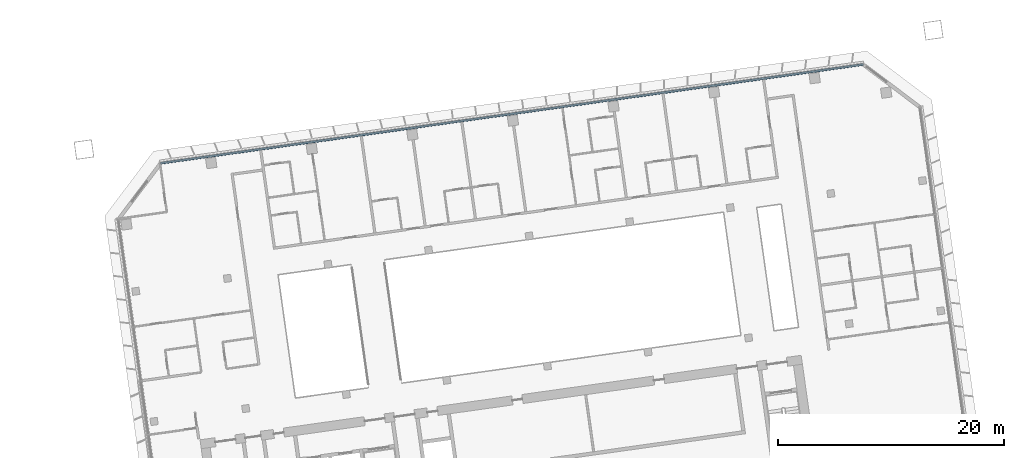
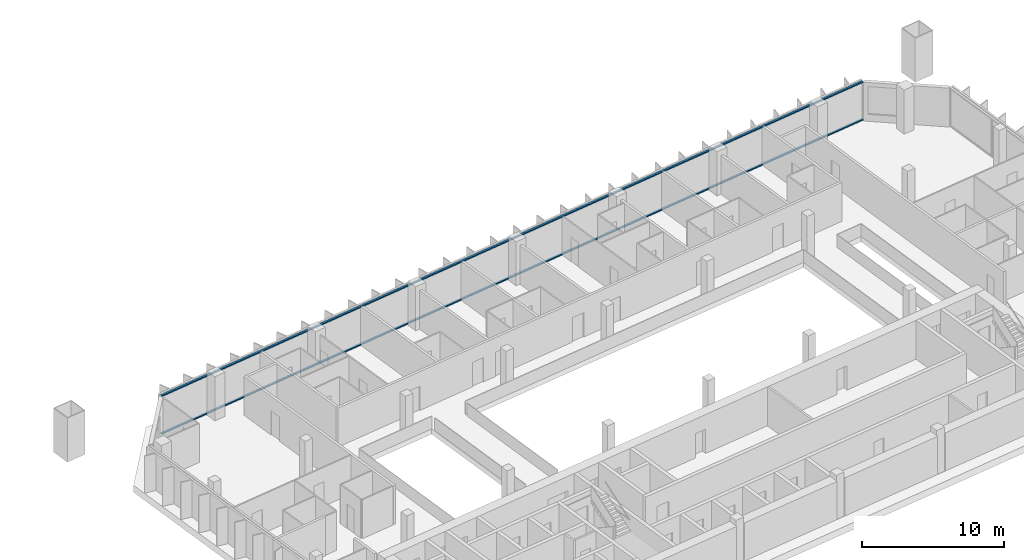
# One storey, part 9 of 24: 2 members, 1 element without a shape of its own.
"""IFC4 building model written with IfcOpenShell, lengths in metres."""

import ifcopenshell
import ifcopenshell.guid

model = None  # the IFC model being written
_history = None  # IfcOwnerHistory: only IFC2X3 demands one
_inside = {}  # id of a spatial element -> (the spatial element, [elements in it])
_under = {}  # id of a project, library or spatial element -> (it, [spatial elements below it])
_declared = {}  # id of a project -> (the project, [libraries it declares])
_typed = {}  # id of a type object -> (the type object, [elements of that type])
_made_of = {}  # id of a material, layer set ... -> (it, [elements and type objects made of it])


def new_model(schema):
    """Start an empty IFC model of exactly this schema.

    Asked for "IFC4X3", IfcOpenShell would pick the latest addendum, in which some entities
    have other attributes; the version numbers below select the first issue.
    IFC2X3 requires an IfcOwnerHistory on every rooted entity: one is made here for all.
    """
    global model, _history
    if schema == "IFC4X3":
        model = ifcopenshell.file(schema_version=(4, 3, 0, 0))
    else:
        model = ifcopenshell.file(schema=schema)
    _inside.clear()
    _under.clear()
    _declared.clear()
    _typed.clear()
    _made_of.clear()
    _history = None
    if model.schema == "IFC2X3":
        org = make("IfcOrganization", Name="unknown")
        user = make(
            "IfcPersonAndOrganization",
            ThePerson=make("IfcPerson", FamilyName="unknown"),
            TheOrganization=org,
        )
        app = make(
            "IfcApplication",
            ApplicationDeveloper=org,
            Version="unknown",
            ApplicationFullName="unknown",
            ApplicationIdentifier="unknown",
        )
        _history = make(
            "IfcOwnerHistory",
            OwningUser=user,
            OwningApplication=app,
            ChangeAction="ADDED",
            CreationDate=0,
        )
    return model


def make(cls, **values):
    """One entity of the class cls with the attributes given. An attribute that is None is left unset."""
    return model.create_entity(
        cls, **{name: value for name, value in values.items() if value is not None}
    )


def rooted(cls, **values):
    """An entity with a GlobalId (a new one), such as an element, a storey or a relation."""
    return make(cls, GlobalId=ifcopenshell.guid.new(), OwnerHistory=_history, **values)


def si_unit(unit_type, name, prefix=None):
    """IfcSIUnit, for example si_unit("LENGTHUNIT", "METRE", prefix="MILLI")."""
    return make("IfcSIUnit", UnitType=unit_type, Prefix=prefix, Name=name)


def assignment(units):
    """IfcUnitAssignment: the units of a project."""
    return None if units is None else make("IfcUnitAssignment", Units=units)


def point(xyz):
    """IfcCartesianPoint."""
    return None if xyz is None else make("IfcCartesianPoint", Coordinates=xyz)


def direction(xyz):
    """IfcDirection."""
    return None if xyz is None else make("IfcDirection", DirectionRatios=xyz)


def frame(location, z_axis=None, x_axis=None):
    """IfcAxis2Placement3D, a coordinate frame: its origin and axes. An axis left out is left unset."""
    return make(
        "IfcAxis2Placement3D",
        Location=point(location),
        Axis=direction(z_axis),
        RefDirection=direction(x_axis),
    )


def frame_2d(location, x_axis=None):
    """IfcAxis2Placement2D, a coordinate frame in the plane: its origin and x axis."""
    return make(
        "IfcAxis2Placement2D", Location=point(location), RefDirection=direction(x_axis)
    )


def origin():
    """The frame at (0, 0, 0) with its axes left unset."""
    return frame((0.0, 0.0, 0.0))


def origin_2d():
    """The frame at (0, 0) in the plane with its x axis left unset."""
    return frame_2d((0.0, 0.0))


def place(relative_to, where):
    """IfcLocalPlacement: puts the frame where relative to a parent placement (None: the world)."""
    return make(
        "IfcLocalPlacement", PlacementRelTo=relative_to, RelativePlacement=where
    )


def context(
    kind, dimensions, precision=None, world=None, true_north=None, identifier=None
):
    """IfcGeometricRepresentationContext, for example the 3D "Model" context."""
    return make(
        "IfcGeometricRepresentationContext",
        ContextIdentifier=identifier,
        ContextType=kind,
        CoordinateSpaceDimension=dimensions,
        Precision=precision,
        WorldCoordinateSystem=world,
        TrueNorth=true_north,
    )


def subcontext(parent, identifier, kind, view, scale=None):
    """IfcGeometricRepresentationSubContext, for example "Body" below "Model"."""
    return make(
        "IfcGeometricRepresentationSubContext",
        ContextIdentifier=identifier,
        ContextType=kind,
        ParentContext=parent,
        TargetScale=scale,
        TargetView=view,
    )


def project(units=None, contexts=None):
    """IfcProject with its units and contexts."""
    return rooted(
        "IfcProject",
        Name="project",
        RepresentationContexts=contexts,
        UnitsInContext=assignment(units),
    )


def spatial(cls, under=None, at=None, **own):
    """A site, building, storey or space (cls), placed at a placement, below another one or the project."""
    s = rooted(cls, ObjectPlacement=at, **own)
    if under is not None:
        _under.setdefault(under.id(), (under, []))[1].append(s)
    return s


def profile(cls, at=None, kind="AREA", **sizes):
    """A parametric profile (cls). Its sizes go by their IFC names, for example OverallWidth=200.0."""
    return make(cls, ProfileType=kind, Position=at, **sizes)


def rectangle(**sizes):
    """IfcRectangleProfileDef."""
    return profile("IfcRectangleProfileDef", **sizes)


def extrude(swept, where, along, depth):
    """IfcExtrudedAreaSolid: the profile swept, set in the frame where, extruded along a direction by depth."""
    return make(
        "IfcExtrudedAreaSolid",
        SweptArea=swept,
        Position=where,
        ExtrudedDirection=direction(along),
        Depth=depth,
    )


def shape(context_of_items, identifier, shape_type, items):
    """IfcShapeRepresentation: the items that make up one representation, for example the "Body"."""
    return make(
        "IfcShapeRepresentation",
        ContextOfItems=context_of_items,
        RepresentationIdentifier=identifier,
        RepresentationType=shape_type,
        Items=items,
    )


def material(Name=None, Category=None):
    """IfcMaterial."""
    return make("IfcMaterial", Name=Name, Category=Category)


def material_profile(
    of_material, cross_section, Name=None, Category=None, Priority=None
):
    """IfcMaterialProfile: a cross section and its material."""
    return make(
        "IfcMaterialProfile",
        Name=Name,
        Material=of_material,
        Profile=cross_section,
        Priority=Priority,
        Category=Category,
    )


def profile_set(profiles, Name=None, composite=None):
    """IfcMaterialProfileSet."""
    return make(
        "IfcMaterialProfileSet",
        Name=Name,
        MaterialProfiles=profiles,
        CompositeProfile=composite,
    )


def made_of(thing, what):
    """Note that an element or type object is made of a material, layer set ...; save() writes the relation."""
    if what is not None:
        _made_of.setdefault(what.id(), (what, []))[1].append(thing)
    return thing


def type_object(cls, material=None, **own):
    """A type object (cls), such as IfcWallType, which elements share."""
    return made_of(rooted(cls, **own), material)


def element(
    cls,
    number,
    at=None,
    inside=None,
    cuts=None,
    type_object=None,
    material=None,
    context=None,
    identifier="Body",
    shape_type=None,
    held_by="IfcProductDefinitionShape",
    body=None,
    shapes=None,
    **own,
):
    """One element of the class cls, such as IfcWall. Its Tag is "e" and its number.

    at: its placement. inside: the storey or other place that contains it. cuts: it is an
    opening in that element (IfcRelVoidsElement). A single representation is given by context,
    identifier, shape_type and body (its items); several are given by shapes. held_by: the class
    of the entity that holds the representations. save() writes the other relations.
    """
    e = rooted(cls, Tag="e%d" % number, ObjectPlacement=at, **own)
    if body is not None:
        shapes = [shape(context, identifier, shape_type, body)]
    if shapes is not None:
        e.Representation = make(held_by, Representations=shapes)
    if inside is not None:
        _inside.setdefault(inside.id(), (inside, []))[1].append(e)
    if cuts is not None:
        rooted(
            "IfcRelVoidsElement", RelatingBuildingElement=cuts, RelatedOpeningElement=e
        )
    if type_object is not None:
        _typed.setdefault(type_object.id(), (type_object, []))[1].append(e)
    return made_of(e, material)


def aggregate(whole, parts):
    """IfcRelAggregates: a whole, such as a stair, and the parts it consists of."""
    return rooted("IfcRelAggregates", RelatingObject=whole, RelatedObjects=parts)


def save(model, path):
    """Write the relations noted so far, then the file.

    IfcRelAggregates (storeys below a building ...), IfcRelContainedInSpatialStructure (elements
    in a storey), IfcRelDefinesByType, IfcRelAssociatesMaterial and IfcRelDeclares: one each for
    every whole, place, type object, material and project.
    """
    for whole, parts in _under.values():
        aggregate(whole, parts)
    for where, things in _inside.values():
        rooted(
            "IfcRelContainedInSpatialStructure",
            RelatedElements=things,
            RelatingStructure=where,
        )
    for kind, things in _typed.values():
        rooted("IfcRelDefinesByType", RelatedObjects=things, RelatingType=kind)
    for what, things in _made_of.values():
        rooted("IfcRelAssociatesMaterial", RelatedObjects=things, RelatingMaterial=what)
    for by, libraries in _declared.values():
        rooted("IfcRelDeclares", RelatingContext=by, RelatedDefinitions=libraries)
    model.write(path)


model = new_model("IFC4")

# Units and contexts
model_context = context("Model", 3, precision=1e-05, world=origin(), true_north=direction((0.0, 1.0)))
body_context = subcontext(model_context, "Body", "Model", "MODEL_VIEW")
ifc_project = project(units=[si_unit("LENGTHUNIT", "METRE"), si_unit("AREAUNIT", "SQUARE_METRE"), si_unit("VOLUMEUNIT", "CUBIC_METRE"), si_unit("PLANEANGLEUNIT", "RADIAN"), si_unit("MASSUNIT", "GRAM", prefix="KILO")], contexts=[model_context])

# Site, building, storey
site_placement = place(None, origin())
site = spatial("IfcSite", under=ifc_project, at=site_placement, CompositionType="ELEMENT")
building_placement = place(site_placement, origin())
building = spatial("IfcBuilding", under=site, at=building_placement, Name="Mirante Cascada Hotel Towers", CompositionType="ELEMENT")
storey_placement = place(building_placement, frame((0.0, 0.0, 110.1)))
storey = spatial("IfcBuildingStorey", under=building, at=storey_placement, Name="L24", CompositionType="ELEMENT", Elevation=110.1)

# Curtain wall, members
ifc_material_1 = material(Name="Aluminium mullion and transom frame with clear laminated glass", Category="aluminium")
curtain_wall_type = type_object("IfcCurtainWallType", Name="Ribbon curtain wall ECW1", PredefinedType="NOTDEFINED", material=ifc_material_1)
curtain_wall_placement = place(storey_placement, origin())
curtain_wall = element("IfcCurtainWall", 1, at=curtain_wall_placement, inside=storey, type_object=curtain_wall_type, Name="Front ribbon wall T2 L24", PredefinedType="NOTDEFINED")
ifc_material_2 = material(Name="Anodised aluminium extrusion", Category="aluminium")
ifc_material_profile = material_profile(ifc_material_2, rectangle(XDim=0.16, YDim=0.1, at=origin_2d()), Name="ECW1 TRANSOM 100x160")
ifc_profile_set = profile_set([ifc_material_profile], Name="Anodised aluminium extrusion")
member_type = type_object("IfcMemberType", Name="ECW1 transom 100x160", PredefinedType="USERDEFINED", material=ifc_profile_set)
member_1_placement = place(storey_placement, frame((94.1582, 26.0521, 0.05), z_axis=(-0.9902681, -0.1391728, 0.0), x_axis=(0.1391728, -0.9902681, 0.0)))
member_1 = element("IfcMember", 2, at=member_1_placement, type_object=member_type, Name="ECW1 sill transom", ObjectType="TRANSOM", PredefinedType="USERDEFINED", context=body_context, shape_type="SweptSolid", body=[
    extrude(rectangle(XDim=0.16, YDim=0.1, at=origin_2d()), origin(), (0.0, 0.0, 1.0), 62.8758),
])
member_2_placement = place(storey_placement, frame((94.1582, 26.0521, 3.3), z_axis=(-0.9902681, -0.1391728, 0.0), x_axis=(0.1391728, -0.9902681, 0.0)))
member_2 = element("IfcMember", 3, at=member_2_placement, type_object=member_type, Name="ECW1 head transom", ObjectType="TRANSOM", PredefinedType="USERDEFINED", context=body_context, shape_type="SweptSolid", body=[
    extrude(rectangle(XDim=0.16, YDim=0.1, at=origin_2d()), origin(), (0.0, 0.0, 1.0), 62.8758),
])
aggregate(curtain_wall, [member_1, member_2])

save(model, "model.ifc")
